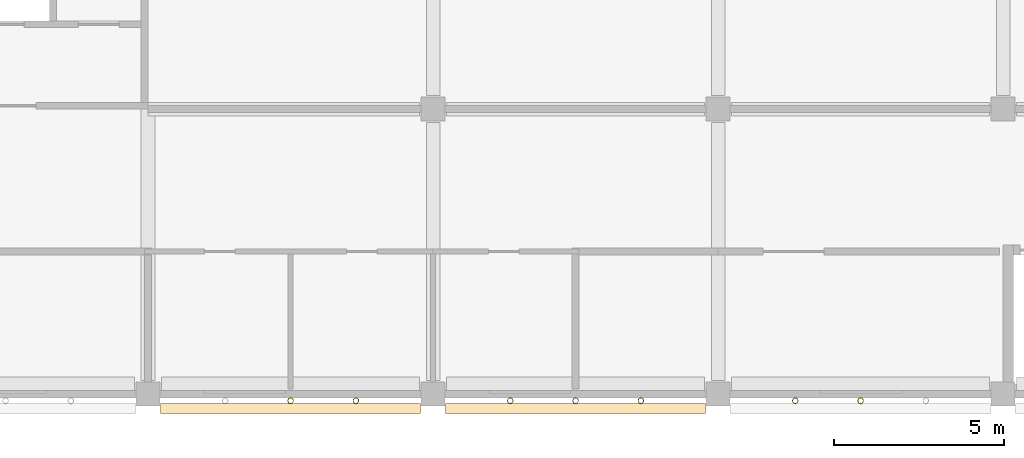
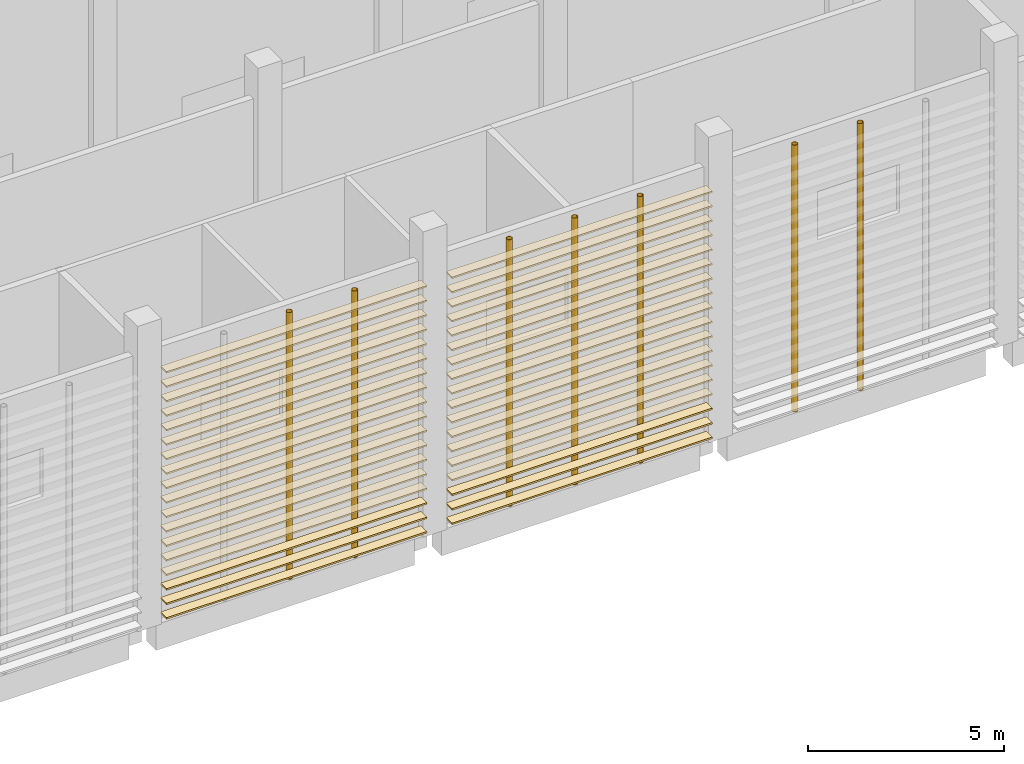
# One storey, part 83 of 114: 36 coverings, 7 shading devices.
"""IFC4 building model written with IfcOpenShell, lengths in metres."""

import ifcopenshell
import ifcopenshell.guid

model = None  # the IFC model being written
_history = None  # IfcOwnerHistory: only IFC2X3 demands one
_inside = {}  # id of a spatial element -> (the spatial element, [elements in it])
_under = {}  # id of a project, library or spatial element -> (it, [spatial elements below it])
_declared = {}  # id of a project -> (the project, [libraries it declares])
_typed = {}  # id of a type object -> (the type object, [elements of that type])
_made_of = {}  # id of a material, layer set ... -> (it, [elements and type objects made of it])


def new_model(schema):
    """Start an empty IFC model of exactly this schema.

    Asked for "IFC4X3", IfcOpenShell would pick the latest addendum, in which some entities
    have other attributes; the version numbers below select the first issue.
    IFC2X3 requires an IfcOwnerHistory on every rooted entity: one is made here for all.
    """
    global model, _history
    if schema == "IFC4X3":
        model = ifcopenshell.file(schema_version=(4, 3, 0, 0))
    else:
        model = ifcopenshell.file(schema=schema)
    _inside.clear()
    _under.clear()
    _declared.clear()
    _typed.clear()
    _made_of.clear()
    _history = None
    if model.schema == "IFC2X3":
        org = make("IfcOrganization", Name="unknown")
        user = make(
            "IfcPersonAndOrganization",
            ThePerson=make("IfcPerson", FamilyName="unknown"),
            TheOrganization=org,
        )
        app = make(
            "IfcApplication",
            ApplicationDeveloper=org,
            Version="unknown",
            ApplicationFullName="unknown",
            ApplicationIdentifier="unknown",
        )
        _history = make(
            "IfcOwnerHistory",
            OwningUser=user,
            OwningApplication=app,
            ChangeAction="ADDED",
            CreationDate=0,
        )
    return model


def make(cls, **values):
    """One entity of the class cls with the attributes given. An attribute that is None is left unset."""
    return model.create_entity(
        cls, **{name: value for name, value in values.items() if value is not None}
    )


def rooted(cls, **values):
    """An entity with a GlobalId (a new one), such as an element, a storey or a relation."""
    return make(cls, GlobalId=ifcopenshell.guid.new(), OwnerHistory=_history, **values)


def si_unit(unit_type, name, prefix=None):
    """IfcSIUnit, for example si_unit("LENGTHUNIT", "METRE", prefix="MILLI")."""
    return make("IfcSIUnit", UnitType=unit_type, Prefix=prefix, Name=name)


def assignment(units):
    """IfcUnitAssignment: the units of a project."""
    return None if units is None else make("IfcUnitAssignment", Units=units)


def point(xyz):
    """IfcCartesianPoint."""
    return None if xyz is None else make("IfcCartesianPoint", Coordinates=xyz)


def direction(xyz):
    """IfcDirection."""
    return None if xyz is None else make("IfcDirection", DirectionRatios=xyz)


def frame(location, z_axis=None, x_axis=None):
    """IfcAxis2Placement3D, a coordinate frame: its origin and axes. An axis left out is left unset."""
    return make(
        "IfcAxis2Placement3D",
        Location=point(location),
        Axis=direction(z_axis),
        RefDirection=direction(x_axis),
    )


def frame_2d(location, x_axis=None):
    """IfcAxis2Placement2D, a coordinate frame in the plane: its origin and x axis."""
    return make(
        "IfcAxis2Placement2D", Location=point(location), RefDirection=direction(x_axis)
    )


def origin():
    """The frame at (0, 0, 0) with its axes left unset."""
    return frame((0.0, 0.0, 0.0))


def origin_2d():
    """The frame at (0, 0) in the plane with its x axis left unset."""
    return frame_2d((0.0, 0.0))


def place(relative_to, where):
    """IfcLocalPlacement: puts the frame where relative to a parent placement (None: the world)."""
    return make(
        "IfcLocalPlacement", PlacementRelTo=relative_to, RelativePlacement=where
    )


def context(
    kind, dimensions, precision=None, world=None, true_north=None, identifier=None
):
    """IfcGeometricRepresentationContext, for example the 3D "Model" context."""
    return make(
        "IfcGeometricRepresentationContext",
        ContextIdentifier=identifier,
        ContextType=kind,
        CoordinateSpaceDimension=dimensions,
        Precision=precision,
        WorldCoordinateSystem=world,
        TrueNorth=true_north,
    )


def subcontext(parent, identifier, kind, view, scale=None):
    """IfcGeometricRepresentationSubContext, for example "Body" below "Model"."""
    return make(
        "IfcGeometricRepresentationSubContext",
        ContextIdentifier=identifier,
        ContextType=kind,
        ParentContext=parent,
        TargetScale=scale,
        TargetView=view,
    )


def project(units=None, contexts=None):
    """IfcProject with its units and contexts."""
    return rooted(
        "IfcProject",
        Name="project",
        RepresentationContexts=contexts,
        UnitsInContext=assignment(units),
    )


def spatial(cls, under=None, at=None, **own):
    """A site, building, storey or space (cls), placed at a placement, below another one or the project."""
    s = rooted(cls, ObjectPlacement=at, **own)
    if under is not None:
        _under.setdefault(under.id(), (under, []))[1].append(s)
    return s


def profile(cls, at=None, kind="AREA", **sizes):
    """A parametric profile (cls). Its sizes go by their IFC names, for example OverallWidth=200.0."""
    return make(cls, ProfileType=kind, Position=at, **sizes)


def rectangle(**sizes):
    """IfcRectangleProfileDef."""
    return profile("IfcRectangleProfileDef", **sizes)


def hollow_circle(**sizes):
    """IfcCircleHollowProfileDef."""
    return profile("IfcCircleHollowProfileDef", **sizes)


def extrude(swept, where, along, depth):
    """IfcExtrudedAreaSolid: the profile swept, set in the frame where, extruded along a direction by depth."""
    return make(
        "IfcExtrudedAreaSolid",
        SweptArea=swept,
        Position=where,
        ExtrudedDirection=direction(along),
        Depth=depth,
    )


def shape(context_of_items, identifier, shape_type, items):
    """IfcShapeRepresentation: the items that make up one representation, for example the "Body"."""
    return make(
        "IfcShapeRepresentation",
        ContextOfItems=context_of_items,
        RepresentationIdentifier=identifier,
        RepresentationType=shape_type,
        Items=items,
    )


def material(Name=None, Category=None):
    """IfcMaterial."""
    return make("IfcMaterial", Name=Name, Category=Category)


def material_profile(
    of_material, cross_section, Name=None, Category=None, Priority=None
):
    """IfcMaterialProfile: a cross section and its material."""
    return make(
        "IfcMaterialProfile",
        Name=Name,
        Material=of_material,
        Profile=cross_section,
        Priority=Priority,
        Category=Category,
    )


def profile_set(profiles, Name=None, composite=None):
    """IfcMaterialProfileSet."""
    return make(
        "IfcMaterialProfileSet",
        Name=Name,
        MaterialProfiles=profiles,
        CompositeProfile=composite,
    )


def made_of(thing, what):
    """Note that an element or type object is made of a material, layer set ...; save() writes the relation."""
    if what is not None:
        _made_of.setdefault(what.id(), (what, []))[1].append(thing)
    return thing


def type_object(cls, material=None, **own):
    """A type object (cls), such as IfcWallType, which elements share."""
    return made_of(rooted(cls, **own), material)


def element(
    cls,
    number,
    at=None,
    inside=None,
    cuts=None,
    type_object=None,
    material=None,
    context=None,
    identifier="Body",
    shape_type=None,
    held_by="IfcProductDefinitionShape",
    body=None,
    shapes=None,
    **own,
):
    """One element of the class cls, such as IfcWall. Its Tag is "e" and its number.

    at: its placement. inside: the storey or other place that contains it. cuts: it is an
    opening in that element (IfcRelVoidsElement). A single representation is given by context,
    identifier, shape_type and body (its items); several are given by shapes. held_by: the class
    of the entity that holds the representations. save() writes the other relations.
    """
    e = rooted(cls, Tag="e%d" % number, ObjectPlacement=at, **own)
    if body is not None:
        shapes = [shape(context, identifier, shape_type, body)]
    if shapes is not None:
        e.Representation = make(held_by, Representations=shapes)
    if inside is not None:
        _inside.setdefault(inside.id(), (inside, []))[1].append(e)
    if cuts is not None:
        rooted(
            "IfcRelVoidsElement", RelatingBuildingElement=cuts, RelatedOpeningElement=e
        )
    if type_object is not None:
        _typed.setdefault(type_object.id(), (type_object, []))[1].append(e)
    return made_of(e, material)


def aggregate(whole, parts):
    """IfcRelAggregates: a whole, such as a stair, and the parts it consists of."""
    return rooted("IfcRelAggregates", RelatingObject=whole, RelatedObjects=parts)


def save(model, path):
    """Write the relations noted so far, then the file.

    IfcRelAggregates (storeys below a building ...), IfcRelContainedInSpatialStructure (elements
    in a storey), IfcRelDefinesByType, IfcRelAssociatesMaterial and IfcRelDeclares: one each for
    every whole, place, type object, material and project.
    """
    for whole, parts in _under.values():
        aggregate(whole, parts)
    for where, things in _inside.values():
        rooted(
            "IfcRelContainedInSpatialStructure",
            RelatedElements=things,
            RelatingStructure=where,
        )
    for kind, things in _typed.values():
        rooted("IfcRelDefinesByType", RelatedObjects=things, RelatingType=kind)
    for what, things in _made_of.values():
        rooted("IfcRelAssociatesMaterial", RelatedObjects=things, RelatingMaterial=what)
    for by, libraries in _declared.values():
        rooted("IfcRelDeclares", RelatingContext=by, RelatedDefinitions=libraries)
    model.write(path)


model = new_model("IFC4")

# Units and contexts
model_context = context("Model", 3, precision=1e-05, world=origin(), true_north=direction((0.0, 1.0)))
body_context = subcontext(model_context, "Body", "Model", "MODEL_VIEW")
ifc_project = project(units=[si_unit("LENGTHUNIT", "METRE"), si_unit("AREAUNIT", "SQUARE_METRE"), si_unit("VOLUMEUNIT", "CUBIC_METRE"), si_unit("PLANEANGLEUNIT", "RADIAN"), si_unit("MASSUNIT", "GRAM", prefix="KILO")], contexts=[model_context])

# Site, building, storey
site_placement = place(None, origin())
site = spatial("IfcSite", under=ifc_project, at=site_placement, CompositionType="ELEMENT")
building_placement = place(site_placement, origin())
building = spatial("IfcBuilding", under=site, at=building_placement, Name="Almond Square Museum", CompositionType="ELEMENT")
storey_placement = place(building_placement, frame((0.0, 0.0, 10.5)))
storey = spatial("IfcBuildingStorey", under=building, at=storey_placement, Name="L02", CompositionType="ELEMENT", Elevation=10.5)

# Shading devices
ifc_material_1 = material(Name="Structural steel S355", Category="steel")
ifc_material_profile_1 = material_profile(ifc_material_1, hollow_circle(Radius=0.084228515625, WallThickness=0.008056640625, at=origin_2d()))
ifc_profile_set_1 = profile_set([ifc_material_profile_1], Name="Structural steel S355")
shading_device_type = type_object("IfcShadingDeviceType", Name="Louvre post CHS 168.3 x 8", PredefinedType="USERDEFINED", material=ifc_profile_set_1)
for number, where, z_axis, x_axis, name in (
    (1, (69.0, -0.194091796875, 0.0), (0.0, 0.0, 1.0), (1.0, 0.0, 0.0), "Louvre screen post"),
    (2, (70.925048828125, -0.194091796875, 0.0), (0.0, 0.0, 1.0), (1.0, 0.0, 0.0), "Louvre screen post"),
    (3, (75.47509765625, -0.194091796875, 0.0), (0.0, 0.0, 1.0), (1.0, 0.0, 0.0), "Louvre screen post"),
    (4, (77.39990234375, -0.194091796875, 0.0), (0.0, 0.0, 1.0), (1.0, 0.0, 0.0), "Louvre screen post"),
    (5, (79.324951171875, -0.194091796875, 0.0), (0.0, 0.0, 1.0), (1.0, 0.0, 0.0), "Louvre screen post"),
    (6, (83.875, -0.194091796875, 0.0), (0.0, 0.0, 1.0), (1.0, 0.0, 0.0), "Louvre screen post"),
    (7, (85.800048828125, -0.194091796875, 0.0), (0.0, 0.0, 1.0), (1.0, 0.0, 0.0), "Louvre screen post"),
):
    element("IfcShadingDevice", number, at=place(storey_placement, frame(where, z_axis=z_axis, x_axis=x_axis)), inside=storey, type_object=shading_device_type, Name=name, ObjectType="POST", PredefinedType="USERDEFINED", context=body_context, shape_type="SweptSolid", body=[
        extrude(hollow_circle(Radius=0.084228515625, WallThickness=0.008056640625, at=origin_2d()), origin(), (0.0, 0.0, 1.0), 8.300048828125),
    ])

# Coverings
ifc_material_2 = material(Name="Cedar timber louvre board", Category="wood")
ifc_material_profile_2 = material_profile(ifc_material_2, rectangle(XDim=0.300048828125, YDim=0.050048828125, at=origin_2d()))
ifc_profile_set_2 = profile_set([ifc_material_profile_2], Name="Cedar timber louvre board")
covering_type = type_object("IfcCoveringType", Name="Louvre screen board 300 x 50", PredefinedType="CLADDING", material=ifc_profile_set_2)
for number, where, z_axis, x_axis, name in (
    (8, (65.169921875, -0.42431640625, 0.300048828125), (1.0, 0.0, 0.0), (0.0, 1.0, 0.0), "Louvre screen board"),
    (9, (65.169921875, -0.42431640625, 0.75), (1.0, 0.0, 0.0), (0.0, 1.0, 0.0), "Louvre screen board"),
    (10, (65.169921875, -0.42431640625, 1.199951171875), (1.0, 0.0, 0.0), (0.0, 1.0, 0.0), "Louvre screen board"),
    (11, (65.169921875, -0.42431640625, 1.64990234375), (1.0, 0.0, 0.0), (0.0, 1.0, 0.0), "Louvre screen board"),
    (12, (65.169921875, -0.42431640625, 2.10009765625), (1.0, 0.0, 0.0), (0.0, 1.0, 0.0), "Louvre screen board"),
    (13, (65.169921875, -0.42431640625, 2.550048828125), (1.0, 0.0, 0.0), (0.0, 1.0, 0.0), "Louvre screen board"),
    (14, (65.169921875, -0.42431640625, 3.0), (1.0, 0.0, 0.0), (0.0, 1.0, 0.0), "Louvre screen board"),
    (15, (65.169921875, -0.42431640625, 3.449951171875), (1.0, 0.0, 0.0), (0.0, 1.0, 0.0), "Louvre screen board"),
    (16, (65.169921875, -0.42431640625, 3.89990234375), (1.0, 0.0, 0.0), (0.0, 1.0, 0.0), "Louvre screen board"),
    (17, (65.169921875, -0.42431640625, 4.35009765625), (1.0, 0.0, 0.0), (0.0, 1.0, 0.0), "Louvre screen board"),
    (18, (65.169921875, -0.42431640625, 4.800048828125), (1.0, 0.0, 0.0), (0.0, 1.0, 0.0), "Louvre screen board"),
    (19, (65.169921875, -0.42431640625, 5.25), (1.0, 0.0, 0.0), (0.0, 1.0, 0.0), "Louvre screen board"),
    (20, (65.169921875, -0.42431640625, 5.699951171875), (1.0, 0.0, 0.0), (0.0, 1.0, 0.0), "Louvre screen board"),
    (21, (65.169921875, -0.42431640625, 6.14990234375), (1.0, 0.0, 0.0), (0.0, 1.0, 0.0), "Louvre screen board"),
    (22, (65.169921875, -0.42431640625, 6.60009765625), (1.0, 0.0, 0.0), (0.0, 1.0, 0.0), "Louvre screen board"),
    (23, (65.169921875, -0.42431640625, 7.050048828125), (1.0, 0.0, 0.0), (0.0, 1.0, 0.0), "Louvre screen board"),
    (24, (65.169921875, -0.42431640625, 7.5), (1.0, 0.0, 0.0), (0.0, 1.0, 0.0), "Louvre screen board"),
    (25, (65.169921875, -0.42431640625, 7.949951171875), (1.0, 0.0, 0.0), (0.0, 1.0, 0.0), "Louvre screen board"),
):
    element("IfcCovering", number, at=place(storey_placement, frame(where, z_axis=z_axis, x_axis=x_axis)), inside=storey, type_object=covering_type, Name=name, PredefinedType="CLADDING", context=body_context, shape_type="SweptSolid", body=[
        extrude(rectangle(XDim=0.300048828125, YDim=0.050048828125, at=origin_2d()), origin(), (0.0, 0.0, 1.0), 7.66015625),
    ])
for number, where, z_axis, x_axis, name in (
    (26, (73.570068359375, -0.42431640625, 0.300048828125), (1.0, 0.0, 0.0), (0.0, 1.0, 0.0), "Louvre screen board"),
    (27, (73.570068359375, -0.42431640625, 0.75), (1.0, 0.0, 0.0), (0.0, 1.0, 0.0), "Louvre screen board"),
    (28, (73.570068359375, -0.42431640625, 1.199951171875), (1.0, 0.0, 0.0), (0.0, 1.0, 0.0), "Louvre screen board"),
    (29, (73.570068359375, -0.42431640625, 1.64990234375), (1.0, 0.0, 0.0), (0.0, 1.0, 0.0), "Louvre screen board"),
    (30, (73.570068359375, -0.42431640625, 2.10009765625), (1.0, 0.0, 0.0), (0.0, 1.0, 0.0), "Louvre screen board"),
    (31, (73.570068359375, -0.42431640625, 2.550048828125), (1.0, 0.0, 0.0), (0.0, 1.0, 0.0), "Louvre screen board"),
    (32, (73.570068359375, -0.42431640625, 3.0), (1.0, 0.0, 0.0), (0.0, 1.0, 0.0), "Louvre screen board"),
    (33, (73.570068359375, -0.42431640625, 3.449951171875), (1.0, 0.0, 0.0), (0.0, 1.0, 0.0), "Louvre screen board"),
    (34, (73.570068359375, -0.42431640625, 3.89990234375), (1.0, 0.0, 0.0), (0.0, 1.0, 0.0), "Louvre screen board"),
    (35, (73.570068359375, -0.42431640625, 4.35009765625), (1.0, 0.0, 0.0), (0.0, 1.0, 0.0), "Louvre screen board"),
    (36, (73.570068359375, -0.42431640625, 4.800048828125), (1.0, 0.0, 0.0), (0.0, 1.0, 0.0), "Louvre screen board"),
    (37, (73.570068359375, -0.42431640625, 5.25), (1.0, 0.0, 0.0), (0.0, 1.0, 0.0), "Louvre screen board"),
    (38, (73.570068359375, -0.42431640625, 5.699951171875), (1.0, 0.0, 0.0), (0.0, 1.0, 0.0), "Louvre screen board"),
    (39, (73.570068359375, -0.42431640625, 6.14990234375), (1.0, 0.0, 0.0), (0.0, 1.0, 0.0), "Louvre screen board"),
    (40, (73.570068359375, -0.42431640625, 6.60009765625), (1.0, 0.0, 0.0), (0.0, 1.0, 0.0), "Louvre screen board"),
    (41, (73.570068359375, -0.42431640625, 7.050048828125), (1.0, 0.0, 0.0), (0.0, 1.0, 0.0), "Louvre screen board"),
    (42, (73.570068359375, -0.42431640625, 7.5), (1.0, 0.0, 0.0), (0.0, 1.0, 0.0), "Louvre screen board"),
    (43, (73.570068359375, -0.42431640625, 7.949951171875), (1.0, 0.0, 0.0), (0.0, 1.0, 0.0), "Louvre screen board"),
):
    element("IfcCovering", number, at=place(storey_placement, frame(where, z_axis=z_axis, x_axis=x_axis)), inside=storey, type_object=covering_type, Name=name, PredefinedType="CLADDING", context=body_context, shape_type="SweptSolid", body=[
        extrude(rectangle(XDim=0.300048828125, YDim=0.050048828125, at=origin_2d()), origin(), (0.0, 0.0, 1.0), 7.659912109375),
    ])

save(model, "model.ifc")
